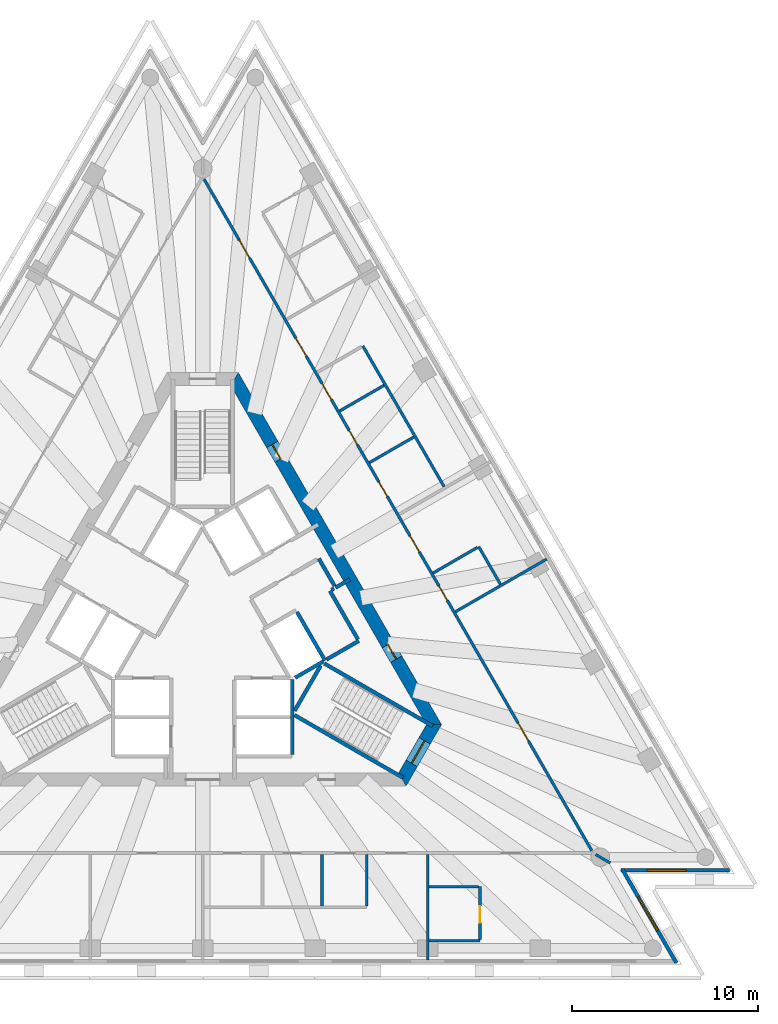
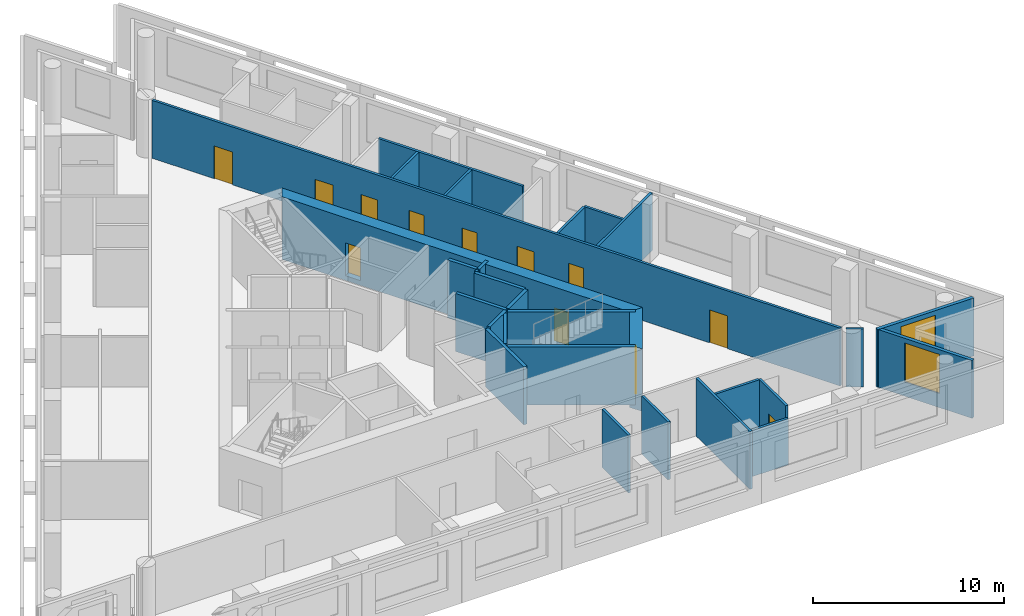
# One storey, part 5 of 9: 29 walls, 12 doors, 2 windows, 14 openings.
"""IFC4 building model written with IfcOpenShell, lengths in metres."""

from ifc_helpers import new_model, si_unit, direction, frame, frame_2d, origin, place, context, subcontext, project, spatial, polyline, rectangle, outline, extrude, material, layer, layer_set, layer_usage, type_object, element, fill, save


model = new_model("IFC4")

# Units and contexts
model_context = context("Model", 3, precision=1e-05, world=origin(), true_north=direction((0.0, 1.0)))
body_context = subcontext(model_context, "Body", "Model", "MODEL_VIEW")
ifc_project = project(units=[si_unit("LENGTHUNIT", "METRE"), si_unit("AREAUNIT", "SQUARE_METRE"), si_unit("VOLUMEUNIT", "CUBIC_METRE"), si_unit("PLANEANGLEUNIT", "RADIAN"), si_unit("MASSUNIT", "GRAM", prefix="KILO")], contexts=[model_context])

# Site, building, storey
site_placement = place(None, origin())
site = spatial("IfcSite", under=ifc_project, at=site_placement, CompositionType="ELEMENT")
building_placement = place(site_placement, origin())
building = spatial("IfcBuilding", under=site, at=building_placement, Name="Triada Interchange Tower", CompositionType="ELEMENT")
storey_placement = place(building_placement, frame((0.0, 0.0, 219.300048828125)))
storey = spatial("IfcBuildingStorey", under=building, at=storey_placement, Name="L51", CompositionType="ELEMENT", Elevation=219.300048828125)

# Walls
ifc_material_1 = material(Name="Concrete C30/37", Category="concrete")
ifc_layer_1 = layer(ifc_material_1, 0.199951171875)
ifc_layer_set_1 = layer_set([ifc_layer_1], Name="CORE WALL 200 EI 120")
wall_type_1 = type_object("IfcWallType", Name="CORE WALL 200 EI 120", PredefinedType="SOLIDWALL", material=ifc_layer_set_1)
wall_1_placement = place(storey_placement, frame((4.800048828125, -6.800048828125, 0.0), z_axis=(0.0, 0.0, 1.0), x_axis=(0.0, 1.0, 0.0)))
element("IfcWall", 1, at=wall_1_placement, inside=storey, type_object=wall_type_1, Name="Wall L50 56", PredefinedType="SOLIDWALL", context=body_context, shape_type="SweptSolid", body=[
    extrude(rectangle(XDim=4.031005859375, YDim=0.199951171875, at=frame_2d((2.015625, 0.0))), origin(), (0.0, 0.0, 1.0), 3.699951171875),
])
wall_2_placement = place(storey_placement, frame((7.12890625, 2.153076171875, 0.0), z_axis=(0.0, 0.0, 1.0), x_axis=(0.866083962871, 0.499898558967, 0.0)))
element("IfcWall", 2, at=wall_2_placement, inside=storey, type_object=wall_type_1, Name="Wall L50 58", PredefinedType="SOLIDWALL", context=body_context, shape_type="SweptSolid", body=[
    extrude(rectangle(XDim=0.880126953125, YDim=0.199951171875, at=frame_2d((0.43994140625, 0.0))), origin(), (0.0, 0.0, 1.0), 3.699951171875),
])
wall_3_placement = place(storey_placement, frame((5.056884765625, 0.841064453125, 0.0), z_axis=(0.0, 0.0, 1.0), x_axis=(0.499990139034, -0.866031096941, 0.0)))
element("IfcWall", 3, at=wall_3_placement, inside=storey, type_object=wall_type_1, Name="Wall L50 61", PredefinedType="SOLIDWALL", context=body_context, shape_type="SweptSolid", body=[
    extrude(rectangle(XDim=3.0, YDim=0.199951171875, at=frame_2d((1.5, 0.0))), origin(), (0.0, 0.0, 1.0), 3.699951171875),
])
wall_4_placement = place(storey_placement, frame((4.962890625, -2.677001953125, 0.0), z_axis=(0.0, 0.0, 1.0), x_axis=(0.866024383922, 0.50000176645, 0.0)))
element("IfcWall", 4, at=wall_4_placement, inside=storey, type_object=wall_type_1, Name="Wall L50 62", PredefinedType="SOLIDWALL", context=body_context, shape_type="SweptSolid", body=[
    extrude(rectangle(XDim=1.740234375, YDim=0.199951171875, at=frame_2d((0.8701171875, 0.0))), origin(), (0.0, 0.0, 1.0), 3.699951171875),
])
wall_5_placement = place(storey_placement, frame((6.22900390625, 3.7119140625, 0.0), z_axis=(0.0, 0.0, 1.0), x_axis=(0.499875724984, -0.86609714211, 0.0)))
element("IfcWall", 5, at=wall_5_placement, inside=storey, type_object=wall_type_1, Name="Wall L50 63", PredefinedType="SOLIDWALL", context=body_context, shape_type="SweptSolid", body=[
    extrude(rectangle(XDim=1.70068359375, YDim=0.199951171875, at=frame_2d((0.850341796875, 0.0))), origin(), (0.0, 0.0, 1.0), 3.699951171875),
])
ifc_layer_2 = layer(ifc_material_1, 0.199951171875)
ifc_layer_set_2 = layer_set([ifc_layer_2], Name="CORE WALL 200 EI 90")
wall_type_2 = type_object("IfcWallType", Name="CORE WALL 200 EI 90", PredefinedType="SOLIDWALL", material=ifc_layer_set_2)
wall_6_placement = place(storey_placement, frame((6.64208984375, -1.7080078125, 0.0), z_axis=(0.0, 0.0, 1.0), x_axis=(0.866043441391, 0.499968756647, 0.0)))
element("IfcWall", 6, at=wall_6_placement, inside=storey, type_object=wall_type_2, Name="Wall L50 83", PredefinedType="SOLIDWALL", context=body_context, shape_type="SweptSolid", body=[
    extrude(rectangle(XDim=2.002197265625, YDim=0.199951171875, at=frame_2d((1.0009765625, 0.0))), origin(), (0.0, 0.0, 1.0), 3.699951171875),
])
wall_7_placement = place(storey_placement, frame((6.825927734375, 1.97802734375, 0.0), z_axis=(0.0, 0.0, 1.0), x_axis=(0.499990139034, -0.866031096941, 0.0)))
element("IfcWall", 7, at=wall_7_placement, inside=storey, type_object=wall_type_2, Name="Wall L50 84", PredefinedType="SOLIDWALL", context=body_context, shape_type="SweptSolid", body=[
    extrude(rectangle(XDim=3.0, YDim=0.199951171875, at=frame_2d((1.5, 0.0))), origin(), (0.0, 0.0, 1.0), 3.699951171875),
])
wall_8_placement = place(storey_placement, frame((6.912109375, 2.028076171875, 0.0), z_axis=(0.0, 0.0, 1.0), x_axis=(0.866559367082, 0.499074005857, 0.0)))
element("IfcWall", 8, at=wall_8_placement, inside=storey, type_object=wall_type_2, Name="Wall L50 85", PredefinedType="SOLIDWALL", context=body_context, shape_type="SweptSolid", body=[
    extrude(rectangle(XDim=0.152099609375, YDim=0.199951171875, at=frame_2d((0.076171875, 0.0))), origin(), (0.0, 0.0, 1.0), 3.699951171875),
])
ifc_layer_3 = layer(ifc_material_1, 0.199951171875)
ifc_layer_set_3 = layer_set([ifc_layer_3], Name="CORE WALL 200 REI 240")
wall_type_3 = type_object("IfcWallType", Name="CORE WALL 200 REI 240", PredefinedType="SOLIDWALL", material=ifc_layer_set_3)
wall_9_placement = place(storey_placement, frame((4.928955078125, -4.4619140625, 0.0), z_axis=(0.0, 0.0, 1.0), x_axis=(0.500200581029, 0.865909567298, 0.0)))
element("IfcWall", 9, at=wall_9_placement, inside=storey, type_object=wall_type_3, Name="Wall L50 92", PredefinedType="SOLIDWALL", context=body_context, shape_type="SweptSolid", body=[
    extrude(rectangle(XDim=2.799072265625, YDim=0.199951171875, at=frame_2d((1.3994140625, 0.0))), origin(), (0.0, 0.0, 1.0), 3.699951171875),
])
wall_10_placement = place(storey_placement, frame((6.529052734375, -1.922119140625, 0.0), z_axis=(0.0, 0.0, 1.0), x_axis=(0.866046323291, -0.499963764601, 0.0)))
element("IfcWall", 10, at=wall_10_placement, inside=storey, type_object=wall_type_3, Name="Wall L50 93", PredefinedType="SOLIDWALL", context=body_context, shape_type="SweptSolid", body=[
    extrude(rectangle(XDim=6.71435546875, YDim=0.199951171875, at=frame_2d((3.357177734375, 0.0))), origin(), (0.0, 0.0, 1.0), 3.699951171875),
])
wall_11_placement = place(storey_placement, frame((4.928955078125, -4.693115234375, 0.0), z_axis=(0.0, 0.0, 1.0), x_axis=(0.865983344943, -0.500072840975, 0.0)))
element("IfcWall", 11, at=wall_11_placement, inside=storey, type_object=wall_type_3, Name="Wall L50 94", PredefinedType="SOLIDWALL", context=body_context, shape_type="SweptSolid", body=[
    extrude(rectangle(XDim=6.71484375, YDim=0.199951171875, at=frame_2d((3.357421875, 0.0))), origin(), (0.0, 0.0, 1.0), 3.699951171875),
])

# Wall, opening, door
ifc_material_2 = material(Name="Concrete C50/60", Category="concrete")
ifc_layer_4 = layer(ifc_material_2, 0.699951171875)
ifc_layer_set_4 = layer_set([ifc_layer_4], Name="Core wall C 700")
wall_type_4 = type_object("IfcWallType", Name="Core wall C 700", PredefinedType="SHEAR", material=ifc_layer_set_4)
wall_12_placement = place(storey_placement, frame((10.7099609375, -8.14990234375, -0.300048828125), z_axis=(0.0, 0.0, 1.0), x_axis=(0.49999337185, 0.866029230515, 0.0)))
wall_12 = element("IfcWall", 12, at=wall_12_placement, inside=storey, type_object=wall_type_4, Name="Core wall WC05 L51", PredefinedType="SHEAR", context=body_context, shape_type="SweptSolid", body=[
    extrude(outline(polyline([(-0.201904296875, -0.35009765625), (1.703125, -0.35009765625), (3.60791015625, -0.35009765625), (3.2041015625, 0.35009765625), (1.703125, 0.35009765625), (0.201904296875, 0.35009765625), (-0.201904296875, -0.35009765625)])), origin(), (0.0, 0.0, 1.0), 4.0),
])
opening_1_placement = place(wall_12_placement, frame((1.0029296875, 0.0, 0.300048828125)))
opening_1 = element("IfcOpeningElement", 13, at=opening_1_placement, cuts=wall_12, Name="Opening D50-41", PredefinedType="OPENING", context=body_context, shape_type="SweptSolid", body=[
    extrude(rectangle(XDim=1.39990234375, YDim=2.10009765625, at=frame_2d((0.699951171875, 1.050048828125))), frame((0.0, 0.360107421875, 0.0), z_axis=(0.0, -1.0, 0.0), x_axis=(1.0, 0.0, 0.0)), (0.0, 0.0, 1.0), 0.72021484375),
])
ifc_material_3 = material(Name="Steel S235 door leaf", Category="steel")
door_type_1 = type_object("IfcDoorType", Name="STAIR DOOR 1400 EI2 90-C5S200", OperationType="DOUBLE_DOOR_SINGLE_SWING", PredefinedType="DOOR", material=ifc_material_3)
door_1_placement = place(opening_1_placement, origin())
door_1 = element("IfcDoor", 14, at=door_1_placement, inside=storey, type_object=door_type_1, Name="Door D50-41 L51", OperationType="DOUBLE_DOOR_SINGLE_SWING", OverallHeight=2.10009765625, OverallWidth=1.39990234375, PredefinedType="DOOR", context=body_context, shape_type="SweptSolid", body=[
    extrude(rectangle(XDim=1.39990234375, YDim=2.10009765625, at=frame_2d((0.699951171875, 1.050048828125))), frame((0.0, 0.02490234375, 0.0), z_axis=(0.0, -1.0, 0.0), x_axis=(1.0, 0.0, 0.0)), (0.0, 0.0, 1.0), 0.050048828125),
])
fill(opening_1, door_1)

# Wall, openings, doors
wall_13_placement = place(storey_placement, frame((12.4130859375, -5.199951171875, -0.300048828125), z_axis=(0.0, 0.0, 1.0), x_axis=(-0.500011533395, 0.866018744874, 0.0)))
wall_13 = element("IfcWall", 15, at=wall_13_placement, inside=storey, type_object=wall_type_4, Name="Core wall WC06 L51", PredefinedType="SHEAR", context=body_context, shape_type="SweptSolid", body=[
    extrude(outline(polyline([(-0.201904296875, -0.35009765625), (1.781982421875, -0.35009765625), (3.76611328125, -0.35009765625), (5.75, -0.35009765625), (7.734130859375, -0.35009765625), (9.718017578125, -0.35009765625), (11.7021484375, -0.35009765625), (13.68603515625, -0.35009765625), (15.670166015625, -0.35009765625), (17.654052734375, -0.35009765625), (19.63818359375, -0.35009765625), (21.6220703125, -0.35009765625), (21.218017578125, 0.35009765625), (19.307373046875, 0.35009765625), (17.39697265625, 0.35009765625), (15.486328125, 0.35009765625), (13.57568359375, 0.35009765625), (11.665283203125, 0.35009765625), (9.754638671875, 0.35009765625), (7.84423828125, 0.35009765625), (5.93359375, 0.35009765625), (4.02294921875, 0.35009765625), (2.112548828125, 0.35009765625), (0.201904296875, 0.35009765625), (-0.201904296875, -0.35009765625)])), origin(), (0.0, 0.0, 1.0), 4.0),
])
opening_2_placement = place(wall_13_placement, frame((4.054931640625, 0.0, 0.300048828125)))
opening_2 = element("IfcOpeningElement", 16, at=opening_2_placement, cuts=wall_13, Name="Opening D50-45", PredefinedType="OPENING", context=body_context, shape_type="SweptSolid", body=[
    extrude(rectangle(XDim=0.89990234375, YDim=2.10009765625, at=frame_2d((0.449951171875, 1.050048828125))), frame((0.0, 0.360107421875, 0.0), z_axis=(0.0, -1.0, 0.0), x_axis=(1.0, 0.0, 0.0)), (0.0, 0.0, 1.0), 0.72021484375),
])
opening_3_placement = place(wall_13_placement, frame((16.465087890625, 0.0, 0.300048828125)))
opening_3 = element("IfcOpeningElement", 17, at=opening_3_placement, cuts=wall_13, Name="Opening D50-47", PredefinedType="OPENING", context=body_context, shape_type="SweptSolid", body=[
    extrude(rectangle(XDim=0.89990234375, YDim=2.10009765625, at=frame_2d((0.449951171875, 1.050048828125))), frame((0.0, 0.360107421875, 0.0), z_axis=(0.0, -1.0, 0.0), x_axis=(1.0, 0.0, 0.0)), (0.0, 0.0, 1.0), 0.72021484375),
])
door_type_2 = type_object("IfcDoorType", Name="RISER ACCESS DOOR 900 EI2 45-C5S200", OperationType="NOTDEFINED", PredefinedType="DOOR", material=ifc_material_3)
door_2_placement = place(opening_3_placement, origin())
door_2 = element("IfcDoor", 18, at=door_2_placement, inside=storey, type_object=door_type_2, Name="Door D50-47 L51", OperationType="SINGLE_SWING_RIGHT", OverallHeight=2.10009765625, OverallWidth=0.89990234375, PredefinedType="DOOR", context=body_context, shape_type="SweptSolid", body=[
    extrude(rectangle(XDim=0.89990234375, YDim=2.10009765625, at=frame_2d((0.449951171875, 1.050048828125))), frame((0.0, 0.02490234375, 0.0), z_axis=(0.0, -1.0, 0.0), x_axis=(1.0, 0.0, 0.0)), (0.0, 0.0, 1.0), 0.050048828125),
])
fill(opening_3, door_2)
door_type_3 = type_object("IfcDoorType", Name="SERVICE DOOR 900 EI2 45-C5S200", OperationType="NOTDEFINED", PredefinedType="DOOR", material=ifc_material_3)
door_3_placement = place(opening_2_placement, origin())
door_3 = element("IfcDoor", 19, at=door_3_placement, inside=storey, type_object=door_type_3, Name="Door D50-45 L51", OperationType="SINGLE_SWING_RIGHT", OverallHeight=2.10009765625, OverallWidth=0.89990234375, PredefinedType="DOOR", context=body_context, shape_type="SweptSolid", body=[
    extrude(rectangle(XDim=0.89990234375, YDim=2.10009765625, at=frame_2d((0.449951171875, 1.050048828125))), frame((0.0, 0.02490234375, 0.0), z_axis=(0.0, -1.0, 0.0), x_axis=(1.0, 0.0, 0.0)), (0.0, 0.0, 1.0), 0.050048828125),
])
fill(opening_2, door_3)

# Wall, opening, window
ifc_material_4 = material(Name="Cement board")
ifc_layer_5 = layer(ifc_material_4, 0.02001953125, Name="Cement board cladding")
ifc_material_5 = material(Name="Sheathing board")
ifc_layer_6 = layer(ifc_material_5, 0.014892578125, Name="Sheathing board")
ifc_material_6 = material(Name="Mineral wool")
ifc_layer_7 = layer(ifc_material_6, 0.14990234375, Name="Mineral wool between steel studs")
ifc_material_7 = material(Name="Gypsum board")
ifc_layer_8 = layer(ifc_material_7, 0.014892578125, Name="Plasterboard lining")
ifc_layer_set_5 = layer_set([ifc_layer_5, ifc_layer_6, ifc_layer_7, ifc_layer_8], Name="External wall 200")
ifc_layer_usage = layer_usage(ifc_layer_set_5, "AXIS2", "POSITIVE", -0.10009765625)
wall_type_5 = type_object("IfcWallType", Name="External wall 200", PredefinedType="ELEMENTEDWALL", material=ifc_layer_set_5)
wall_14_placement = place(storey_placement, frame((25.419921875, -17.988037109375, 0.0), z_axis=(0.0, 0.0, 1.0), x_axis=(-0.499910499212, 0.866077070922, 0.0)))
wall_14 = element("IfcWall", 20, at=wall_14_placement, inside=storey, type_object=wall_type_5, material=ifc_layer_usage, Name="External wall L51 SE-1", PredefinedType="ELEMENTEDWALL", context=body_context, shape_type="SweptSolid", body=[
    extrude(rectangle(XDim=5.806640625, YDim=0.199951171875, at=frame_2d((2.9033203125, 0.0))), origin(), (0.0, 0.0, 1.0), 3.699951171875),
])
opening_4_placement = place(wall_14_placement, frame((1.989990234375, 0.0, 0.89990234375)))
opening_4 = element("IfcOpeningElement", 21, at=opening_4_placement, cuts=wall_14, Name="Opening WC19", PredefinedType="OPENING", context=body_context, shape_type="SweptSolid", body=[
    extrude(rectangle(XDim=2.10009765625, YDim=2.5, at=frame_2d((1.050048828125, 1.25))), frame((0.0, 0.10986328125, 0.0), z_axis=(0.0, -1.0, 0.0), x_axis=(1.0, 0.0, 0.0)), (0.0, 0.0, 1.0), 0.219970703125),
])
ifc_material_8 = material(Name="Double glazed aluminium window", Category="aluminium")
window_type = type_object("IfcWindowType", Name="Ribbon window C pocket", PartitioningType="SINGLE_PANEL", PredefinedType="WINDOW", material=ifc_material_8)
window_1_placement = place(opening_4_placement, origin())
window_1 = element("IfcWindow", 22, at=window_1_placement, inside=storey, type_object=window_type, Name="Window L51 SE-1 1", OverallHeight=2.5, OverallWidth=2.10009765625, PartitioningType="SINGLE_PANEL", PredefinedType="WINDOW", context=body_context, shape_type="SweptSolid", body=[
    extrude(rectangle(XDim=2.10009765625, YDim=2.5, at=frame_2d((1.050048828125, 1.25))), frame((0.0, 0.030029296875, 0.0), z_axis=(0.0, -1.0, 0.0), x_axis=(1.0, 0.0, 0.0)), (0.0, 0.0, 1.0), 0.06005859375),
])
fill(opening_4, window_1)

wall_15_placement = place(storey_placement, frame((22.4619140625, -13.02001953125, 0.0), z_axis=(0.0, 0.0, 1.0), x_axis=(1.0, 0.0, 0.0)))
wall_15 = element("IfcWall", 23, at=wall_15_placement, inside=storey, type_object=wall_type_5, material=ifc_layer_usage, Name="External wall L51 SE-2", PredefinedType="ELEMENTEDWALL", context=body_context, shape_type="SweptSolid", body=[
    extrude(rectangle(XDim=5.80615234375, YDim=0.199951171875, at=frame_2d((2.903076171875, 0.0))), origin(), (0.0, 0.0, 1.0), 3.699951171875),
])
opening_5_placement = place(wall_15_placement, frame((1.389892578125, 0.0, 0.89990234375)))
opening_5 = element("IfcOpeningElement", 24, at=opening_5_placement, cuts=wall_15, Name="Opening WC20", PredefinedType="OPENING", context=body_context, shape_type="SweptSolid", body=[
    extrude(rectangle(XDim=2.10009765625, YDim=2.5, at=frame_2d((1.050048828125, 1.25))), frame((0.0, 0.10986328125, 0.0), z_axis=(0.0, -1.0, 0.0), x_axis=(1.0, 0.0, 0.0)), (0.0, 0.0, 1.0), 0.219970703125),
])
window_2_placement = place(opening_5_placement, origin())
window_2 = element("IfcWindow", 25, at=window_2_placement, inside=storey, type_object=window_type, Name="Window L51 SE-2 1", OverallHeight=2.5, OverallWidth=2.10009765625, PartitioningType="SINGLE_PANEL", PredefinedType="WINDOW", context=body_context, shape_type="SweptSolid", body=[
    extrude(rectangle(XDim=2.10009765625, YDim=2.5, at=frame_2d((1.050048828125, 1.25))), frame((0.0, 0.030029296875, 0.0), z_axis=(0.0, -1.0, 0.0), x_axis=(1.0, 0.0, 0.0)), (0.0, 0.0, 1.0), 0.06005859375),
])
fill(opening_5, window_2)

# Wall
ifc_material_9 = material(Name="Gypsum board partition")
ifc_layer_9 = layer(ifc_material_9, 0.14990234375)
ifc_layer_set_6 = layer_set([ifc_layer_9], Name="PARTITION 150 EI 180")
wall_type_6 = type_object("IfcWallType", Name="PARTITION 150 EI 180", PredefinedType="PARTITIONING", material=ifc_layer_set_6)
wall_16_placement = place(storey_placement, frame((21.0869140625, -12.175048828125, 0.0), z_axis=(0.0, 0.0, 1.0), x_axis=(0.866372959518, -0.499397532049, 0.0)))
element("IfcWall", 26, at=wall_16_placement, inside=storey, type_object=wall_type_6, Name="Wall L50 7", PredefinedType="PARTITIONING", context=body_context, shape_type="SweptSolid", body=[
    extrude(rectangle(XDim=0.91064453125, YDim=0.14990234375, at=frame_2d((0.455322265625, 0.0))), origin(), (0.0, 0.0, 1.0), 3.699951171875),
])

# Wall, openings, doors
wall_17_placement = place(storey_placement, frame((0.074951171875, 24.070068359375, 0.0), z_axis=(0.0, 0.0, 1.0), x_axis=(0.500006834213, -0.866021458014, 0.0)))
wall_17 = element("IfcWall", 27, at=wall_17_placement, inside=storey, type_object=wall_type_6, Name="Wall L50 16", PredefinedType="PARTITIONING", context=body_context, shape_type="SweptSolid", body=[
    extrude(rectangle(XDim=41.61572265625, YDim=0.14990234375, at=frame_2d((20.807861328125, 0.0))), origin(), (0.0, 0.0, 1.0), 3.699951171875),
])
opening_6_placement = place(wall_17_placement, frame((33.715087890625, 0.0, 0.0)))
opening_6 = element("IfcOpeningElement", 28, at=opening_6_placement, cuts=wall_17, Name="Opening D50-19", PredefinedType="OPENING", context=body_context, shape_type="SweptSolid", body=[
    extrude(rectangle(XDim=1.10009765625, YDim=2.10009765625, at=frame_2d((0.550048828125, 1.050048828125))), frame((0.0, 0.0849609375, 0.0), z_axis=(0.0, -1.0, 0.0), x_axis=(1.0, 0.0, 0.0)), (0.0, 0.0, 1.0), 0.169921875),
])
opening_7_placement = place(wall_17_placement, frame((22.097900390625, 0.0, 0.0)))
opening_7 = element("IfcOpeningElement", 29, at=opening_7_placement, cuts=wall_17, Name="Opening D50-20", PredefinedType="OPENING", context=body_context, shape_type="SweptSolid", body=[
    extrude(rectangle(XDim=1.0, YDim=2.10009765625, at=frame_2d((0.5, 1.050048828125))), frame((0.0, 0.0849609375, 0.0), z_axis=(0.0, -1.0, 0.0), x_axis=(1.0, 0.0, 0.0)), (0.0, 0.0, 1.0), 0.169921875),
])
opening_8_placement = place(wall_17_placement, frame((25.197998046875, 0.0, 0.0)))
opening_8 = element("IfcOpeningElement", 30, at=opening_8_placement, cuts=wall_17, Name="Opening D50-21", PredefinedType="OPENING", context=body_context, shape_type="SweptSolid", body=[
    extrude(rectangle(XDim=0.89990234375, YDim=2.10009765625, at=frame_2d((0.449951171875, 1.050048828125))), frame((0.0, 0.0849609375, 0.0), z_axis=(0.0, -1.0, 0.0), x_axis=(1.0, 0.0, 0.0)), (0.0, 0.0, 1.0), 0.169921875),
])
opening_9_placement = place(wall_17_placement, frame((9.85791015625, 0.0, 0.0)))
opening_9 = element("IfcOpeningElement", 31, at=opening_9_placement, cuts=wall_17, Name="Opening D50-22", PredefinedType="OPENING", context=body_context, shape_type="SweptSolid", body=[
    extrude(rectangle(XDim=1.10009765625, YDim=2.10009765625, at=frame_2d((0.550048828125, 1.050048828125))), frame((0.0, 0.0849609375, 0.0), z_axis=(0.0, -1.0, 0.0), x_axis=(1.0, 0.0, 0.0)), (0.0, 0.0, 1.0), 0.169921875),
])
opening_10_placement = place(wall_17_placement, frame((18.758056640625, 0.0, 0.0)))
opening_10 = element("IfcOpeningElement", 32, at=opening_10_placement, cuts=wall_17, Name="Opening D50-23", PredefinedType="OPENING", context=body_context, shape_type="SweptSolid", body=[
    extrude(rectangle(XDim=0.89990234375, YDim=2.10009765625, at=frame_2d((0.449951171875, 1.050048828125))), frame((0.0, 0.0849609375, 0.0), z_axis=(0.0, -1.0, 0.0), x_axis=(1.0, 0.0, 0.0)), (0.0, 0.0, 1.0), 0.169921875),
])
opening_11_placement = place(wall_17_placement, frame((15.55810546875, 0.0, 0.0)))
opening_11 = element("IfcOpeningElement", 33, at=opening_11_placement, cuts=wall_17, Name="Opening D50-24", PredefinedType="OPENING", context=body_context, shape_type="SweptSolid", body=[
    extrude(rectangle(XDim=0.89990234375, YDim=2.10009765625, at=frame_2d((0.449951171875, 1.050048828125))), frame((0.0, 0.0849609375, 0.0), z_axis=(0.0, -1.0, 0.0), x_axis=(1.0, 0.0, 0.0)), (0.0, 0.0, 1.0), 0.169921875),
])
opening_12_placement = place(wall_17_placement, frame((12.657958984375, 0.0, 0.0)))
opening_12 = element("IfcOpeningElement", 34, at=opening_12_placement, cuts=wall_17, Name="Opening D50-25", PredefinedType="OPENING", context=body_context, shape_type="SweptSolid", body=[
    extrude(rectangle(XDim=1.0, YDim=2.10009765625, at=frame_2d((0.5, 1.050048828125))), frame((0.0, 0.0849609375, 0.0), z_axis=(0.0, -1.0, 0.0), x_axis=(1.0, 0.0, 0.0)), (0.0, 0.0, 1.0), 0.169921875),
])
opening_13_placement = place(wall_17_placement, frame((3.77587890625, 0.0, 0.0)))
opening_13 = element("IfcOpeningElement", 35, at=opening_13_placement, cuts=wall_17, Name="Opening D50-26", PredefinedType="OPENING", context=body_context, shape_type="SweptSolid", body=[
    extrude(rectangle(XDim=1.10009765625, YDim=2.10009765625, at=frame_2d((0.550048828125, 1.050048828125))), frame((0.0, 0.0849609375, 0.0), z_axis=(0.0, -1.0, 0.0), x_axis=(1.0, 0.0, 0.0)), (0.0, 0.0, 1.0), 0.169921875),
])
door_type_4 = type_object("IfcDoorType", Name="ROOM DOOR 1000 EI2 90-C5S200", OperationType="NOTDEFINED", PredefinedType="DOOR", material=ifc_material_3)
door_4_placement = place(opening_7_placement, origin())
door_4 = element("IfcDoor", 36, at=door_4_placement, inside=storey, type_object=door_type_4, Name="Door D50-20 L51", OperationType="SINGLE_SWING_RIGHT", OverallHeight=2.10009765625, OverallWidth=1.0, PredefinedType="DOOR", context=body_context, shape_type="SweptSolid", body=[
    extrude(rectangle(XDim=1.0, YDim=2.10009765625, at=frame_2d((0.5, 1.050048828125))), frame((0.0, 0.02490234375, 0.0), z_axis=(0.0, -1.0, 0.0), x_axis=(1.0, 0.0, 0.0)), (0.0, 0.0, 1.0), 0.050048828125),
])
fill(opening_7, door_4)
door_5_placement = place(opening_12_placement, origin())
door_5 = element("IfcDoor", 37, at=door_5_placement, inside=storey, type_object=door_type_4, Name="Door D50-25 L51", OperationType="SINGLE_SWING_RIGHT", OverallHeight=2.10009765625, OverallWidth=1.0, PredefinedType="DOOR", context=body_context, shape_type="SweptSolid", body=[
    extrude(rectangle(XDim=1.0, YDim=2.10009765625, at=frame_2d((0.5, 1.050048828125))), frame((0.0, 0.02490234375, 0.0), z_axis=(0.0, -1.0, 0.0), x_axis=(1.0, 0.0, 0.0)), (0.0, 0.0, 1.0), 0.050048828125),
])
fill(opening_12, door_5)
door_type_5 = type_object("IfcDoorType", Name="ROOM DOOR 900 EI2 90-C5S200", OperationType="NOTDEFINED", PredefinedType="DOOR", material=ifc_material_3)
door_6_placement = place(opening_10_placement, origin())
door_6 = element("IfcDoor", 38, at=door_6_placement, inside=storey, type_object=door_type_5, Name="Door D50-23 L51", OperationType="SINGLE_SWING_RIGHT", OverallHeight=2.10009765625, OverallWidth=0.89990234375, PredefinedType="DOOR", context=body_context, shape_type="SweptSolid", body=[
    extrude(rectangle(XDim=0.89990234375, YDim=2.10009765625, at=frame_2d((0.449951171875, 1.050048828125))), frame((0.0, 0.02490234375, 0.0), z_axis=(0.0, -1.0, 0.0), x_axis=(1.0, 0.0, 0.0)), (0.0, 0.0, 1.0), 0.050048828125),
])
fill(opening_10, door_6)
door_7_placement = place(opening_11_placement, origin())
door_7 = element("IfcDoor", 39, at=door_7_placement, inside=storey, type_object=door_type_5, Name="Door D50-24 L51", OperationType="SINGLE_SWING_LEFT", OverallHeight=2.10009765625, OverallWidth=0.89990234375, PredefinedType="DOOR", context=body_context, shape_type="SweptSolid", body=[
    extrude(rectangle(XDim=0.89990234375, YDim=2.10009765625, at=frame_2d((0.449951171875, 1.050048828125))), frame((0.0, 0.02490234375, 0.0), z_axis=(0.0, -1.0, 0.0), x_axis=(1.0, 0.0, 0.0)), (0.0, 0.0, 1.0), 0.050048828125),
])
fill(opening_11, door_7)
door_type_6 = type_object("IfcDoorType", Name="SERVICE DOOR 900 EI2 90-C5S200", OperationType="NOTDEFINED", PredefinedType="DOOR", material=ifc_material_3)
door_8_placement = place(opening_8_placement, origin())
door_8 = element("IfcDoor", 40, at=door_8_placement, inside=storey, type_object=door_type_6, Name="Door D50-21 L51", OperationType="SINGLE_SWING_LEFT", OverallHeight=2.10009765625, OverallWidth=0.89990234375, PredefinedType="DOOR", context=body_context, shape_type="SweptSolid", body=[
    extrude(rectangle(XDim=0.89990234375, YDim=2.10009765625, at=frame_2d((0.449951171875, 1.050048828125))), frame((0.0, 0.02490234375, 0.0), z_axis=(0.0, -1.0, 0.0), x_axis=(1.0, 0.0, 0.0)), (0.0, 0.0, 1.0), 0.050048828125),
])
fill(opening_8, door_8)
door_type_7 = type_object("IfcDoorType", Name="TENANCY ENTRANCE DOOR 1100 EI2 90-C5S200", OperationType="NOTDEFINED", PredefinedType="DOOR", material=ifc_material_3)
door_9_placement = place(opening_6_placement, origin())
door_9 = element("IfcDoor", 41, at=door_9_placement, inside=storey, type_object=door_type_7, Name="Door D50-19 L51", OperationType="SINGLE_SWING_RIGHT", OverallHeight=2.10009765625, OverallWidth=1.10009765625, PredefinedType="DOOR", context=body_context, shape_type="SweptSolid", body=[
    extrude(rectangle(XDim=1.10009765625, YDim=2.10009765625, at=frame_2d((0.550048828125, 1.050048828125))), frame((0.0, 0.02490234375, 0.0), z_axis=(0.0, -1.0, 0.0), x_axis=(1.0, 0.0, 0.0)), (0.0, 0.0, 1.0), 0.050048828125),
])
fill(opening_6, door_9)
door_10_placement = place(opening_9_placement, origin())
door_10 = element("IfcDoor", 42, at=door_10_placement, inside=storey, type_object=door_type_7, Name="Door D50-22 L51", OperationType="SINGLE_SWING_LEFT", OverallHeight=2.10009765625, OverallWidth=1.10009765625, PredefinedType="DOOR", context=body_context, shape_type="SweptSolid", body=[
    extrude(rectangle(XDim=1.10009765625, YDim=2.10009765625, at=frame_2d((0.550048828125, 1.050048828125))), frame((0.0, 0.02490234375, 0.0), z_axis=(0.0, -1.0, 0.0), x_axis=(1.0, 0.0, 0.0)), (0.0, 0.0, 1.0), 0.050048828125),
])
fill(opening_9, door_10)
door_11_placement = place(opening_13_placement, origin())
door_11 = element("IfcDoor", 43, at=door_11_placement, inside=storey, type_object=door_type_7, Name="Door D50-26 L51", OperationType="SINGLE_SWING_LEFT", OverallHeight=2.10009765625, OverallWidth=1.10009765625, PredefinedType="DOOR", context=body_context, shape_type="SweptSolid", body=[
    extrude(rectangle(XDim=1.10009765625, YDim=2.10009765625, at=frame_2d((0.550048828125, 1.050048828125))), frame((0.0, 0.02490234375, 0.0), z_axis=(0.0, -1.0, 0.0), x_axis=(1.0, 0.0, 0.0)), (0.0, 0.0, 1.0), 0.050048828125),
])
fill(opening_13, door_11)

# Walls
wall_18_placement = place(storey_placement, frame((8.594970703125, 15.1240234375, 0.0), z_axis=(0.0, 0.0, 1.0), x_axis=(0.499970334739, -0.866042530354, 0.0)))
element("IfcWall", 44, at=wall_18_placement, inside=storey, type_object=wall_type_6, Name="Wall L50 19", PredefinedType="PARTITIONING", context=body_context, shape_type="SweptSolid", body=[
    extrude(rectangle(XDim=8.724609375, YDim=0.14990234375, at=frame_2d((4.3623046875, 0.0))), origin(), (0.0, 0.0, 1.0), 3.699951171875),
])
wall_19_placement = place(storey_placement, frame((14.81494140625, 4.35009765625, 0.0), z_axis=(0.0, 0.0, 1.0), x_axis=(0.499934593286, -0.866063163075, 0.0)))
element("IfcWall", 45, at=wall_19_placement, inside=storey, type_object=wall_type_6, Name="Wall L50 20", PredefinedType="PARTITIONING", context=body_context, shape_type="SweptSolid", body=[
    extrude(rectangle(XDim=2.324462890625, YDim=0.14990234375, at=frame_2d((1.162109375, 0.0))), origin(), (0.0, 0.0, 1.0), 3.699951171875),
])
for number, where, z_axis, x_axis, name in (
    (46, (8.800048828125, -14.929931640625, 0.0), (0.0, 0.0, 1.0), (0.0, 1.0, 0.0), "Wall L50 22"),
    (47, (6.39990234375, -14.929931640625, 0.0), (0.0, 0.0, 1.0), (0.0, 1.0, 0.0), "Wall L50 23"),
):
    element("IfcWall", number, at=place(storey_placement, frame(where, z_axis=z_axis, x_axis=x_axis)), inside=storey, type_object=wall_type_6, Name=name, PredefinedType="PARTITIONING", context=body_context, shape_type="SweptSolid", body=[
        extrude(rectangle(XDim=2.7548828125, YDim=0.14990234375, at=frame_2d((1.37744140625, 0.0))), origin(), (0.0, 0.0, 1.0), 3.699951171875),
    ])
wall_20_placement = place(storey_placement, frame((7.343994140625, 11.6298828125, 0.0), z_axis=(0.0, 0.0, 1.0), x_axis=(0.86592732884, 0.500169832324, 0.0)))
element("IfcWall", 48, at=wall_20_placement, inside=storey, type_object=wall_type_6, Name="Wall L50 24", PredefinedType="PARTITIONING", context=body_context, shape_type="SweptSolid", body=[
    extrude(rectangle(XDim=2.75537109375, YDim=0.14990234375, at=frame_2d((1.377685546875, 0.0))), origin(), (0.0, 0.0, 1.0), 3.699951171875),
])
wall_21_placement = place(storey_placement, frame((8.944091796875, 8.85888671875, 0.0), z_axis=(0.0, 0.0, 1.0), x_axis=(0.866080816704, 0.499904009723, 0.0)))
element("IfcWall", 49, at=wall_21_placement, inside=storey, type_object=wall_type_6, Name="Wall L50 25", PredefinedType="PARTITIONING", context=body_context, shape_type="SweptSolid", body=[
    extrude(rectangle(XDim=2.7548828125, YDim=0.14990234375, at=frame_2d((1.37744140625, 0.0))), origin(), (0.0, 0.0, 1.0), 3.699951171875),
])
wall_22_placement = place(storey_placement, frame((12.0810546875, -17.830078125, 0.0), z_axis=(0.0, 0.0, 1.0), x_axis=(0.0, 1.0, 0.0)))
element("IfcWall", 50, at=wall_22_placement, inside=storey, type_object=wall_type_6, Name="Wall L50 26", PredefinedType="PARTITIONING", context=body_context, shape_type="SweptSolid", body=[
    extrude(rectangle(XDim=5.655029296875, YDim=0.14990234375, at=frame_2d((2.82763671875, 0.0))), origin(), (0.0, 0.0, 1.0), 3.699951171875),
])
wall_23_placement = place(storey_placement, frame((12.364013671875, 2.93505859375, 0.0), z_axis=(0.0, 0.0, 1.0), x_axis=(0.865965703354, 0.500103389924, 0.0)))
element("IfcWall", 51, at=wall_23_placement, inside=storey, type_object=wall_type_6, Name="Wall L50 27", PredefinedType="PARTITIONING", context=body_context, shape_type="SweptSolid", body=[
    extrude(rectangle(XDim=2.75537109375, YDim=0.14990234375, at=frame_2d((1.377685546875, 0.0))), origin(), (0.0, 0.0, 1.0), 3.699951171875),
])
wall_24_placement = place(storey_placement, frame((13.56396484375, 0.85693359375, 0.0), z_axis=(0.0, 0.0, 1.0), x_axis=(0.866034596441, 0.499984077514, 0.0)))
element("IfcWall", 52, at=wall_24_placement, inside=storey, type_object=wall_type_6, Name="Wall L50 28", PredefinedType="PARTITIONING", context=body_context, shape_type="SweptSolid", body=[
    extrude(rectangle(XDim=5.654541015625, YDim=0.14990234375, at=frame_2d((2.8271484375, 0.0))), origin(), (0.0, 0.0, 1.0), 3.699951171875),
])
ifc_layer_10 = layer(ifc_material_9, 0.14990234375)
ifc_layer_set_7 = layer_set([ifc_layer_10], Name="PARTITION 150 EI 90")
wall_type_7 = type_object("IfcWallType", Name="PARTITION 150 EI 90", PredefinedType="PARTITIONING", material=ifc_layer_set_7)
wall_25_placement = place(storey_placement, frame((12.156005859375, -16.804931640625, 0.0), z_axis=(0.0, 0.0, 1.0), x_axis=(1.0, 0.0, 0.0)))
element("IfcWall", 53, at=wall_25_placement, inside=storey, type_object=wall_type_7, Name="Wall L50 38", PredefinedType="PARTITIONING", context=body_context, shape_type="SweptSolid", body=[
    extrude(rectangle(XDim=2.72509765625, YDim=0.14990234375, at=frame_2d((1.362548828125, 0.0))), origin(), (0.0, 0.0, 1.0), 2.949951171875),
])

# Wall, opening, door
wall_26_placement = place(storey_placement, frame((14.881103515625, -16.72998046875, 0.0), z_axis=(0.0, 0.0, 1.0), x_axis=(0.0, 1.0, 0.0)))
wall_26 = element("IfcWall", 54, at=wall_26_placement, inside=storey, type_object=wall_type_7, Name="Wall L50 39", PredefinedType="PARTITIONING", context=body_context, shape_type="SweptSolid", body=[
    extrude(rectangle(XDim=2.830078125, YDim=0.14990234375, at=frame_2d((1.4150390625, 0.0))), origin(), (0.0, 0.0, 1.0), 3.699951171875),
])
opening_14_placement = place(wall_26_placement, frame((0.8798828125, 0.0, 0.0)))
opening_14 = element("IfcOpeningElement", 55, at=opening_14_placement, cuts=wall_26, Name="Opening D50-18", PredefinedType="OPENING", context=body_context, shape_type="SweptSolid", body=[
    extrude(rectangle(XDim=0.89990234375, YDim=2.10009765625, at=frame_2d((0.449951171875, 1.050048828125))), frame((0.0, 0.0849609375, 0.0), z_axis=(0.0, -1.0, 0.0), x_axis=(1.0, 0.0, 0.0)), (0.0, 0.0, 1.0), 0.169921875),
])
door_type_8 = type_object("IfcDoorType", Name="ROOM DOOR 900 EI2 45-C5S200", OperationType="NOTDEFINED", PredefinedType="DOOR", material=ifc_material_3)
door_12_placement = place(opening_14_placement, origin())
door_12 = element("IfcDoor", 56, at=door_12_placement, inside=storey, type_object=door_type_8, Name="Door D50-18 L51", OperationType="SINGLE_SWING_LEFT", OverallHeight=2.10009765625, OverallWidth=0.89990234375, PredefinedType="DOOR", context=body_context, shape_type="SweptSolid", body=[
    extrude(rectangle(XDim=0.89990234375, YDim=2.10009765625, at=frame_2d((0.449951171875, 1.050048828125))), frame((0.0, 0.02490234375, 0.0), z_axis=(0.0, -1.0, 0.0), x_axis=(1.0, 0.0, 0.0)), (0.0, 0.0, 1.0), 0.050048828125),
])
fill(opening_14, door_12)

# Wall
wall_27_placement = place(storey_placement, frame((12.156005859375, -13.89990234375, 0.0), z_axis=(0.0, 0.0, 1.0), x_axis=(1.0, 0.0, 0.0)))
element("IfcWall", 57, at=wall_27_placement, inside=storey, type_object=wall_type_7, Name="Wall L50 40", PredefinedType="PARTITIONING", context=body_context, shape_type="SweptSolid", body=[
    extrude(rectangle(XDim=2.64990234375, YDim=0.14990234375, at=frame_2d((1.324951171875, 0.0))), origin(), (0.0, 0.0, 1.0), 3.699951171875),
])

save(model, "model.ifc")
